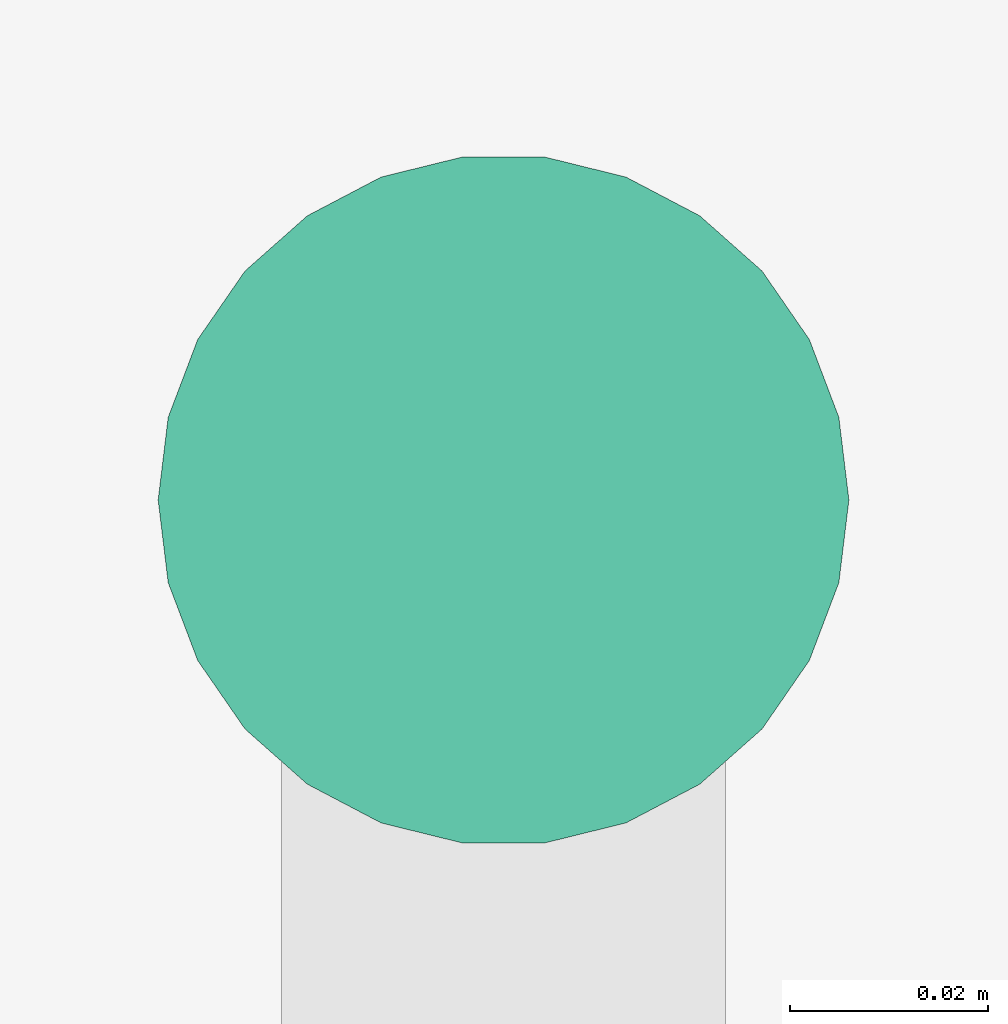
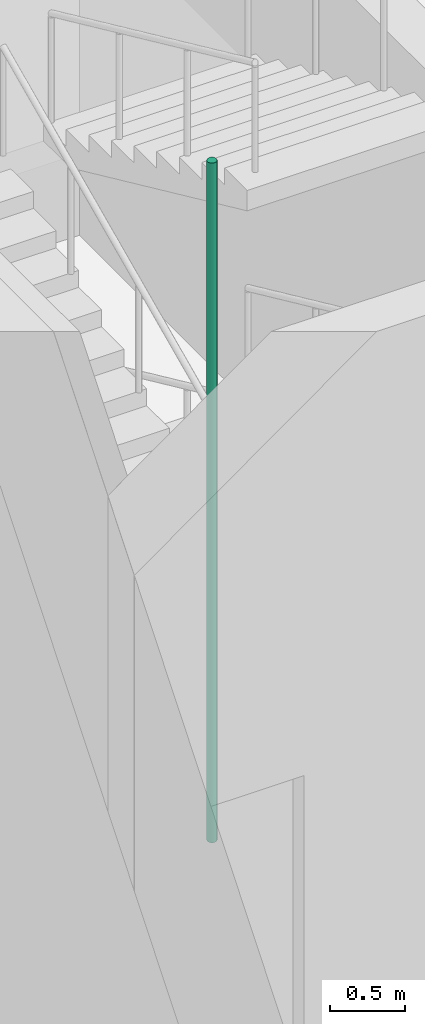
# One storey, part 23 of 33: 1 pipe segment.
"""IFC4 building model written with IfcOpenShell, lengths in metres."""

from ifc_helpers import new_model, si_unit, direction, frame, origin, origin_2d, place, context, subcontext, project, spatial, circle, extrude, element, save


model = new_model("IFC4")

# Units and contexts
model_context = context("Model", 3, precision=1e-05, world=origin(), true_north=direction((0.0, 1.0)))
body_context = subcontext(model_context, "Body", "Model", "MODEL_VIEW")
ifc_project = project(units=[si_unit("LENGTHUNIT", "METRE"), si_unit("AREAUNIT", "SQUARE_METRE"), si_unit("VOLUMEUNIT", "CUBIC_METRE"), si_unit("PLANEANGLEUNIT", "RADIAN"), si_unit("MASSUNIT", "GRAM", prefix="KILO")], contexts=[model_context])

# Site, building, storey
site_placement = place(None, origin())
site = spatial("IfcSite", under=ifc_project, at=site_placement, CompositionType="ELEMENT")
building_placement = place(site_placement, origin())
building = spatial("IfcBuilding", under=site, at=building_placement, Name="Nzadi Deep Aquarium and Research Tower", CompositionType="ELEMENT")
storey_placement = place(building_placement, frame((0.0, 0.0, -5.5)))
storey = spatial("IfcBuildingStorey", under=building, at=storey_placement, Name="B1", CompositionType="ELEMENT", Elevation=-5.5)

# Pipe segment
pipe_segment_placement = place(storey_placement, frame((2.300048828125, 68.9599609375, 0.0), z_axis=(0.0, 0.0, 1.0), x_axis=(1.0, 0.0, 0.0)))
element("IfcPipeSegment", 1, at=pipe_segment_placement, inside=storey, Name="Dry riser ST-Z2-W B1", PredefinedType="RIGIDSEGMENT", context=body_context, shape_type="SweptSolid", body=[
    extrude(circle(Radius=0.034912109375, at=origin_2d()), origin(), (0.0, 0.0, 1.0), 5.5),
])

save(model, "model.ifc")
